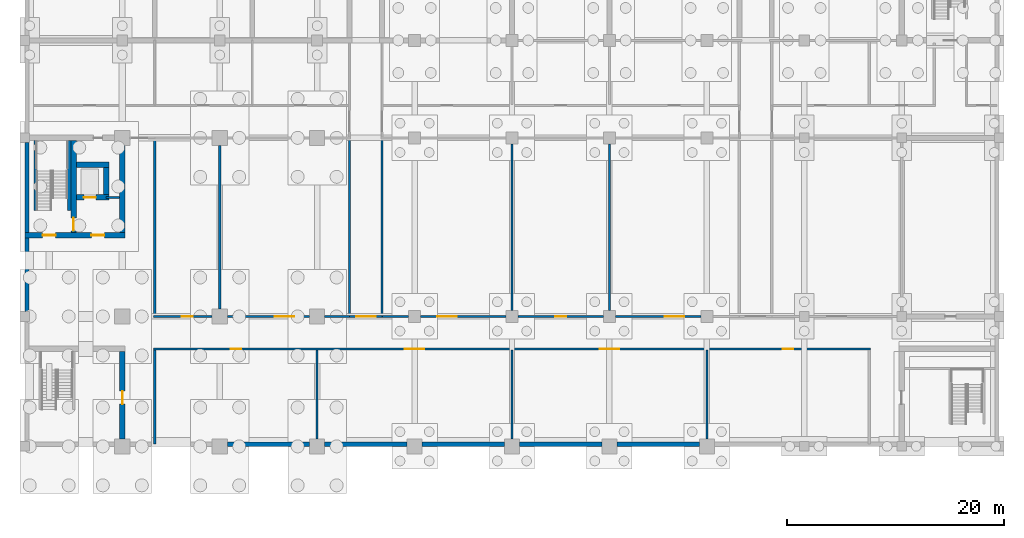
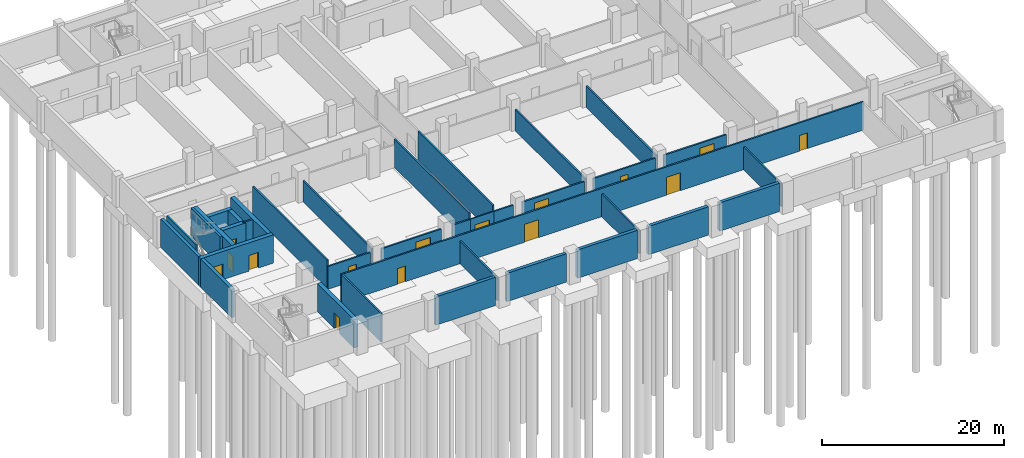
# One storey, part 5 of 15: 35 walls, 15 doors, 15 openings.
"""IFC4 building model written with IfcOpenShell, lengths in metres."""

import ifcopenshell
import ifcopenshell.guid

model = None  # the IFC model being written
_history = None  # IfcOwnerHistory: only IFC2X3 demands one
_inside = {}  # id of a spatial element -> (the spatial element, [elements in it])
_under = {}  # id of a project, library or spatial element -> (it, [spatial elements below it])
_declared = {}  # id of a project -> (the project, [libraries it declares])
_typed = {}  # id of a type object -> (the type object, [elements of that type])
_made_of = {}  # id of a material, layer set ... -> (it, [elements and type objects made of it])


def new_model(schema):
    """Start an empty IFC model of exactly this schema.

    Asked for "IFC4X3", IfcOpenShell would pick the latest addendum, in which some entities
    have other attributes; the version numbers below select the first issue.
    IFC2X3 requires an IfcOwnerHistory on every rooted entity: one is made here for all.
    """
    global model, _history
    if schema == "IFC4X3":
        model = ifcopenshell.file(schema_version=(4, 3, 0, 0))
    else:
        model = ifcopenshell.file(schema=schema)
    _inside.clear()
    _under.clear()
    _declared.clear()
    _typed.clear()
    _made_of.clear()
    _history = None
    if model.schema == "IFC2X3":
        org = make("IfcOrganization", Name="unknown")
        user = make(
            "IfcPersonAndOrganization",
            ThePerson=make("IfcPerson", FamilyName="unknown"),
            TheOrganization=org,
        )
        app = make(
            "IfcApplication",
            ApplicationDeveloper=org,
            Version="unknown",
            ApplicationFullName="unknown",
            ApplicationIdentifier="unknown",
        )
        _history = make(
            "IfcOwnerHistory",
            OwningUser=user,
            OwningApplication=app,
            ChangeAction="ADDED",
            CreationDate=0,
        )
    return model


def make(cls, **values):
    """One entity of the class cls with the attributes given. An attribute that is None is left unset."""
    return model.create_entity(
        cls, **{name: value for name, value in values.items() if value is not None}
    )


def rooted(cls, **values):
    """An entity with a GlobalId (a new one), such as an element, a storey or a relation."""
    return make(cls, GlobalId=ifcopenshell.guid.new(), OwnerHistory=_history, **values)


def si_unit(unit_type, name, prefix=None):
    """IfcSIUnit, for example si_unit("LENGTHUNIT", "METRE", prefix="MILLI")."""
    return make("IfcSIUnit", UnitType=unit_type, Prefix=prefix, Name=name)


def assignment(units):
    """IfcUnitAssignment: the units of a project."""
    return None if units is None else make("IfcUnitAssignment", Units=units)


def point(xyz):
    """IfcCartesianPoint."""
    return None if xyz is None else make("IfcCartesianPoint", Coordinates=xyz)


def direction(xyz):
    """IfcDirection."""
    return None if xyz is None else make("IfcDirection", DirectionRatios=xyz)


def frame(location, z_axis=None, x_axis=None):
    """IfcAxis2Placement3D, a coordinate frame: its origin and axes. An axis left out is left unset."""
    return make(
        "IfcAxis2Placement3D",
        Location=point(location),
        Axis=direction(z_axis),
        RefDirection=direction(x_axis),
    )


def frame_2d(location, x_axis=None):
    """IfcAxis2Placement2D, a coordinate frame in the plane: its origin and x axis."""
    return make(
        "IfcAxis2Placement2D", Location=point(location), RefDirection=direction(x_axis)
    )


def origin():
    """The frame at (0, 0, 0) with its axes left unset."""
    return frame((0.0, 0.0, 0.0))


def place(relative_to, where):
    """IfcLocalPlacement: puts the frame where relative to a parent placement (None: the world)."""
    return make(
        "IfcLocalPlacement", PlacementRelTo=relative_to, RelativePlacement=where
    )


def context(
    kind, dimensions, precision=None, world=None, true_north=None, identifier=None
):
    """IfcGeometricRepresentationContext, for example the 3D "Model" context."""
    return make(
        "IfcGeometricRepresentationContext",
        ContextIdentifier=identifier,
        ContextType=kind,
        CoordinateSpaceDimension=dimensions,
        Precision=precision,
        WorldCoordinateSystem=world,
        TrueNorth=true_north,
    )


def subcontext(parent, identifier, kind, view, scale=None):
    """IfcGeometricRepresentationSubContext, for example "Body" below "Model"."""
    return make(
        "IfcGeometricRepresentationSubContext",
        ContextIdentifier=identifier,
        ContextType=kind,
        ParentContext=parent,
        TargetScale=scale,
        TargetView=view,
    )


def project(units=None, contexts=None):
    """IfcProject with its units and contexts."""
    return rooted(
        "IfcProject",
        Name="project",
        RepresentationContexts=contexts,
        UnitsInContext=assignment(units),
    )


def spatial(cls, under=None, at=None, **own):
    """A site, building, storey or space (cls), placed at a placement, below another one or the project."""
    s = rooted(cls, ObjectPlacement=at, **own)
    if under is not None:
        _under.setdefault(under.id(), (under, []))[1].append(s)
    return s


def profile(cls, at=None, kind="AREA", **sizes):
    """A parametric profile (cls). Its sizes go by their IFC names, for example OverallWidth=200.0."""
    return make(cls, ProfileType=kind, Position=at, **sizes)


def rectangle(**sizes):
    """IfcRectangleProfileDef."""
    return profile("IfcRectangleProfileDef", **sizes)


def extrude(swept, where, along, depth):
    """IfcExtrudedAreaSolid: the profile swept, set in the frame where, extruded along a direction by depth."""
    return make(
        "IfcExtrudedAreaSolid",
        SweptArea=swept,
        Position=where,
        ExtrudedDirection=direction(along),
        Depth=depth,
    )


def shape(context_of_items, identifier, shape_type, items):
    """IfcShapeRepresentation: the items that make up one representation, for example the "Body"."""
    return make(
        "IfcShapeRepresentation",
        ContextOfItems=context_of_items,
        RepresentationIdentifier=identifier,
        RepresentationType=shape_type,
        Items=items,
    )


def material(Name=None, Category=None):
    """IfcMaterial."""
    return make("IfcMaterial", Name=Name, Category=Category)


def layer(
    of_material, thickness, ventilated=None, Name=None, Category=None, Priority=None
):
    """IfcMaterialLayer: one layer of a wall or slab, of a material (None: an air gap)."""
    return make(
        "IfcMaterialLayer",
        Material=of_material,
        LayerThickness=thickness,
        IsVentilated=ventilated,
        Name=Name,
        Category=Category,
        Priority=Priority,
    )


def layer_set(layers, Name=None):
    """IfcMaterialLayerSet."""
    return make("IfcMaterialLayerSet", MaterialLayers=layers, LayerSetName=Name)


def made_of(thing, what):
    """Note that an element or type object is made of a material, layer set ...; save() writes the relation."""
    if what is not None:
        _made_of.setdefault(what.id(), (what, []))[1].append(thing)
    return thing


def type_object(cls, material=None, **own):
    """A type object (cls), such as IfcWallType, which elements share."""
    return made_of(rooted(cls, **own), material)


def element(
    cls,
    number,
    at=None,
    inside=None,
    cuts=None,
    type_object=None,
    material=None,
    context=None,
    identifier="Body",
    shape_type=None,
    held_by="IfcProductDefinitionShape",
    body=None,
    shapes=None,
    **own,
):
    """One element of the class cls, such as IfcWall. Its Tag is "e" and its number.

    at: its placement. inside: the storey or other place that contains it. cuts: it is an
    opening in that element (IfcRelVoidsElement). A single representation is given by context,
    identifier, shape_type and body (its items); several are given by shapes. held_by: the class
    of the entity that holds the representations. save() writes the other relations.
    """
    e = rooted(cls, Tag="e%d" % number, ObjectPlacement=at, **own)
    if body is not None:
        shapes = [shape(context, identifier, shape_type, body)]
    if shapes is not None:
        e.Representation = make(held_by, Representations=shapes)
    if inside is not None:
        _inside.setdefault(inside.id(), (inside, []))[1].append(e)
    if cuts is not None:
        rooted(
            "IfcRelVoidsElement", RelatingBuildingElement=cuts, RelatedOpeningElement=e
        )
    if type_object is not None:
        _typed.setdefault(type_object.id(), (type_object, []))[1].append(e)
    return made_of(e, material)


def fill(opening, filler):
    """IfcRelFillsElement: the door or window that sits in an opening."""
    return rooted(
        "IfcRelFillsElement",
        RelatingOpeningElement=opening,
        RelatedBuildingElement=filler,
    )


def aggregate(whole, parts):
    """IfcRelAggregates: a whole, such as a stair, and the parts it consists of."""
    return rooted("IfcRelAggregates", RelatingObject=whole, RelatedObjects=parts)


def save(model, path):
    """Write the relations noted so far, then the file.

    IfcRelAggregates (storeys below a building ...), IfcRelContainedInSpatialStructure (elements
    in a storey), IfcRelDefinesByType, IfcRelAssociatesMaterial and IfcRelDeclares: one each for
    every whole, place, type object, material and project.
    """
    for whole, parts in _under.values():
        aggregate(whole, parts)
    for where, things in _inside.values():
        rooted(
            "IfcRelContainedInSpatialStructure",
            RelatedElements=things,
            RelatingStructure=where,
        )
    for kind, things in _typed.values():
        rooted("IfcRelDefinesByType", RelatedObjects=things, RelatingType=kind)
    for what, things in _made_of.values():
        rooted("IfcRelAssociatesMaterial", RelatedObjects=things, RelatingMaterial=what)
    for by, libraries in _declared.values():
        rooted("IfcRelDeclares", RelatingContext=by, RelatedDefinitions=libraries)
    model.write(path)


model = new_model("IFC4")

# Units and contexts
model_context = context("Model", 3, precision=1e-05, world=origin(), true_north=direction((0.0, 1.0)))
body_context = subcontext(model_context, "Body", "Model", "MODEL_VIEW")
ifc_project = project(units=[si_unit("LENGTHUNIT", "METRE"), si_unit("AREAUNIT", "SQUARE_METRE"), si_unit("VOLUMEUNIT", "CUBIC_METRE"), si_unit("PLANEANGLEUNIT", "RADIAN"), si_unit("MASSUNIT", "GRAM", prefix="KILO")], contexts=[model_context])

# Site, building, storey
site_placement = place(None, origin())
site = spatial("IfcSite", under=ifc_project, at=site_placement, CompositionType="ELEMENT")
building_placement = place(site_placement, origin())
building = spatial("IfcBuilding", under=site, at=building_placement, Name="Aurelan Courthouse", CompositionType="ELEMENT")
storey_placement = place(building_placement, frame((0.0, 0.0, -8.39990234375)))
storey = spatial("IfcBuildingStorey", under=building, at=storey_placement, Name="B2", CompositionType="ELEMENT", Elevation=-8.39990234375)

# Wall, opening, door
ifc_material_1 = material(Name="Gypsum board on metal studs")
ifc_layer_1 = layer(ifc_material_1, 0.14990234375)
ifc_layer_set_1 = layer_set([ifc_layer_1], Name="Gypsum board on metal studs")
wall_type_1 = type_object("IfcWallType", Name="Corridor partition 150 EI 60", PredefinedType="PARTITIONING", material=ifc_layer_set_1)
wall_1_placement = place(storey_placement, frame((30.0, 12.0, 0.0), z_axis=(0.0, 0.0, 1.0), x_axis=(1.0, 0.0, 0.0)))
wall_1 = element("IfcWall", 1, at=wall_1_placement, inside=storey, type_object=wall_type_1, Name="Corridor partition B2-005", PredefinedType="PARTITIONING", context=body_context, shape_type="SweptSolid", body=[
    extrude(rectangle(XDim=3.0, YDim=0.14990234375, at=frame_2d((1.5, 0.0))), origin(), (0.0, 0.0, 1.0), 3.0498046875),
])
opening_1_placement = place(wall_1_placement, frame((0.60009765625, 0.0, 0.0)))
opening_1 = element("IfcOpeningElement", 2, at=opening_1_placement, cuts=wall_1, Name="Opening D-B2-002", PredefinedType="OPENING", context=body_context, shape_type="SweptSolid", body=[
    extrude(rectangle(XDim=1.800048828125, YDim=2.10009765625, at=frame_2d((0.89990234375, 1.050048828125))), frame((0.0, 0.0849609375, 0.0), z_axis=(0.0, -1.0, 0.0), x_axis=(1.0, 0.0, 0.0)), (0.0, 0.0, 1.0), 0.169921875),
])
ifc_material_2 = material(Name="Steel", Category="steel")
door_type_1 = type_object("IfcDoorType", Name="Double door 1800 x 2100 FD60", OperationType="DOUBLE_DOOR_SINGLE_SWING", PredefinedType="DOOR", material=ifc_material_2)
door_1_placement = place(opening_1_placement, origin())
door_1 = element("IfcDoor", 3, at=door_1_placement, inside=storey, type_object=door_type_1, Name="Double door D-B2-002", OperationType="DOUBLE_DOOR_SINGLE_SWING", OverallHeight=2.10009765625, OverallWidth=1.800048828125, PredefinedType="DOOR", context=body_context, shape_type="SweptSolid", body=[
    extrude(rectangle(XDim=1.800048828125, YDim=2.10009765625, at=frame_2d((0.89990234375, 1.050048828125))), frame((0.0, 0.02490234375, 0.0), z_axis=(0.0, -1.0, 0.0), x_axis=(1.0, 0.0, 0.0)), (0.0, 0.0, 1.0), 0.050048828125),
])
fill(opening_1, door_1)

# Wall, openings, doors
ifc_material_3 = material(Name="Masonry block", Category="masonry")
ifc_layer_2 = layer(ifc_material_3, 0.199951171875)
ifc_layer_set_2 = layer_set([ifc_layer_2], Name="Masonry block")
wall_type_2 = type_object("IfcWallType", Name="Plant room wall 200 EI 120", PredefinedType="PARTITIONING", material=ifc_layer_set_2)
wall_2_placement = place(storey_placement, frame((11.89990234375, 9.0, 0.0), z_axis=(0.0, 0.0, 1.0), x_axis=(1.0, 0.0, 0.0)))
wall_2 = element("IfcWall", 4, at=wall_2_placement, inside=storey, type_object=wall_type_2, Name="Plant room wall B2-001", PredefinedType="PARTITIONING", context=body_context, shape_type="SweptSolid", body=[
    extrude(rectangle(XDim=66.2001953125, YDim=0.199951171875, at=frame_2d((33.10009765625, 0.0))), origin(), (0.0, 0.0, 1.0), 3.7998046875),
])
opening_2_placement = place(wall_2_placement, frame((8.10009765625, 0.0, 0.0), z_axis=(0.0, 0.0, 1.0), x_axis=(-1.0, 0.0, 0.0)))
opening_2 = element("IfcOpeningElement", 5, at=opening_2_placement, cuts=wall_2, Name="Opening D-B2-037", PredefinedType="OPENING", context=body_context, shape_type="SweptSolid", body=[
    extrude(rectangle(XDim=1.0, YDim=2.10009765625, at=frame_2d((0.5, 1.050048828125))), frame((0.0, 0.10986328125, 0.0), z_axis=(0.0, -1.0, 0.0), x_axis=(1.0, 0.0, 0.0)), (0.0, 0.0, 1.0), 0.219970703125),
])
opening_3_placement = place(wall_2_placement, frame((25.0, 0.0, 0.0), z_axis=(0.0, 0.0, 1.0), x_axis=(-1.0, 0.0, 0.0)))
opening_3 = element("IfcOpeningElement", 6, at=opening_3_placement, cuts=wall_2, Name="Opening D-B2-038", PredefinedType="OPENING", context=body_context, shape_type="SweptSolid", body=[
    extrude(rectangle(XDim=1.800048828125, YDim=2.39990234375, at=frame_2d((0.89990234375, 1.199951171875))), frame((0.0, 0.10986328125, 0.0), z_axis=(0.0, -1.0, 0.0), x_axis=(1.0, 0.0, 0.0)), (0.0, 0.0, 1.0), 0.219970703125),
])
opening_4_placement = place(wall_2_placement, frame((43.0, 0.0, 0.0), z_axis=(0.0, 0.0, 1.0), x_axis=(-1.0, 0.0, 0.0)))
opening_4 = element("IfcOpeningElement", 7, at=opening_4_placement, cuts=wall_2, Name="Opening D-B2-039", PredefinedType="OPENING", context=body_context, shape_type="SweptSolid", body=[
    extrude(rectangle(XDim=1.800048828125, YDim=2.39990234375, at=frame_2d((0.89990234375, 1.199951171875))), frame((0.0, 0.10986328125, 0.0), z_axis=(0.0, -1.0, 0.0), x_axis=(1.0, 0.0, 0.0)), (0.0, 0.0, 1.0), 0.219970703125),
])
opening_5_placement = place(wall_2_placement, frame((59.10009765625, 0.0, 0.0), z_axis=(0.0, 0.0, 1.0), x_axis=(-1.0, 0.0, 0.0)))
opening_5 = element("IfcOpeningElement", 8, at=opening_5_placement, cuts=wall_2, Name="Opening D-B2-040", PredefinedType="OPENING", context=body_context, shape_type="SweptSolid", body=[
    extrude(rectangle(XDim=1.0, YDim=2.10009765625, at=frame_2d((0.5, 1.050048828125))), frame((0.0, 0.10986328125, 0.0), z_axis=(0.0, -1.0, 0.0), x_axis=(1.0, 0.0, 0.0)), (0.0, 0.0, 1.0), 0.219970703125),
])
door_type_2 = type_object("IfcDoorType", Name="Double door 1800 x 2400 FD90", OperationType="DOUBLE_DOOR_SINGLE_SWING", PredefinedType="DOOR", material=ifc_material_2)
door_2_placement = place(opening_3_placement, origin())
door_2 = element("IfcDoor", 9, at=door_2_placement, inside=storey, type_object=door_type_2, Name="Double door D-B2-038", OperationType="DOUBLE_DOOR_SINGLE_SWING", OverallHeight=2.39990234375, OverallWidth=1.800048828125, PredefinedType="DOOR", context=body_context, shape_type="SweptSolid", body=[
    extrude(rectangle(XDim=1.800048828125, YDim=2.39990234375, at=frame_2d((0.89990234375, 1.199951171875))), frame((0.0, 0.02490234375, 0.0), z_axis=(0.0, -1.0, 0.0), x_axis=(1.0, 0.0, 0.0)), (0.0, 0.0, 1.0), 0.050048828125),
])
fill(opening_3, door_2)
door_3_placement = place(opening_4_placement, origin())
door_3 = element("IfcDoor", 10, at=door_3_placement, inside=storey, type_object=door_type_2, Name="Double door D-B2-039", OperationType="DOUBLE_DOOR_SINGLE_SWING", OverallHeight=2.39990234375, OverallWidth=1.800048828125, PredefinedType="DOOR", context=body_context, shape_type="SweptSolid", body=[
    extrude(rectangle(XDim=1.800048828125, YDim=2.39990234375, at=frame_2d((0.89990234375, 1.199951171875))), frame((0.0, 0.02490234375, 0.0), z_axis=(0.0, -1.0, 0.0), x_axis=(1.0, 0.0, 0.0)), (0.0, 0.0, 1.0), 0.050048828125),
])
fill(opening_4, door_3)
door_type_3 = type_object("IfcDoorType", Name="Single door 1000 x 2100 FD90", OperationType="SINGLE_SWING_LEFT", PredefinedType="DOOR", material=ifc_material_2)
door_4_placement = place(opening_2_placement, origin())
door_4 = element("IfcDoor", 11, at=door_4_placement, inside=storey, type_object=door_type_3, Name="Single door D-B2-037", OperationType="SINGLE_SWING_LEFT", OverallHeight=2.10009765625, OverallWidth=1.0, PredefinedType="DOOR", context=body_context, shape_type="SweptSolid", body=[
    extrude(rectangle(XDim=1.0, YDim=2.10009765625, at=frame_2d((0.5, 1.050048828125))), frame((0.0, 0.02490234375, 0.0), z_axis=(0.0, -1.0, 0.0), x_axis=(1.0, 0.0, 0.0)), (0.0, 0.0, 1.0), 0.050048828125),
])
fill(opening_2, door_4)
door_5_placement = place(opening_5_placement, origin())
door_5 = element("IfcDoor", 12, at=door_5_placement, inside=storey, type_object=door_type_3, Name="Single door D-B2-040", OperationType="SINGLE_SWING_RIGHT", OverallHeight=2.10009765625, OverallWidth=1.0, PredefinedType="DOOR", context=body_context, shape_type="SweptSolid", body=[
    extrude(rectangle(XDim=1.0, YDim=2.10009765625, at=frame_2d((0.5, 1.050048828125))), frame((0.0, 0.02490234375, 0.0), z_axis=(0.0, -1.0, 0.0), x_axis=(1.0, 0.0, 0.0)), (0.0, 0.0, 1.0), 0.050048828125),
])
fill(opening_5, door_5)

# Wall, opening, door
wall_3_placement = place(storey_placement, frame((11.89990234375, 12.0, 0.0), z_axis=(0.0, 0.0, 1.0), x_axis=(1.0, 0.0, 0.0)))
wall_3 = element("IfcWall", 13, at=wall_3_placement, inside=storey, type_object=wall_type_2, Name="Plant room wall B2-002", PredefinedType="PARTITIONING", context=body_context, shape_type="SweptSolid", body=[
    extrude(rectangle(XDim=5.400146484375, YDim=0.199951171875, at=frame_2d((2.7001953125, 0.0))), origin(), (0.0, 0.0, 1.0), 3.0498046875),
])
opening_6_placement = place(wall_3_placement, frame((2.60009765625, 0.0, 0.0)))
opening_6 = element("IfcOpeningElement", 14, at=opening_6_placement, cuts=wall_3, Name="Opening D-B2-041", PredefinedType="OPENING", context=body_context, shape_type="SweptSolid", body=[
    extrude(rectangle(XDim=1.0, YDim=2.10009765625, at=frame_2d((0.5, 1.050048828125))), frame((0.0, 0.10986328125, 0.0), z_axis=(0.0, -1.0, 0.0), x_axis=(1.0, 0.0, 0.0)), (0.0, 0.0, 1.0), 0.219970703125),
])
door_6_placement = place(opening_6_placement, origin())
door_6 = element("IfcDoor", 15, at=door_6_placement, inside=storey, type_object=door_type_3, Name="Single door D-B2-041", OperationType="SINGLE_SWING_RIGHT", OverallHeight=2.10009765625, OverallWidth=1.0, PredefinedType="DOOR", context=body_context, shape_type="SweptSolid", body=[
    extrude(rectangle(XDim=1.0, YDim=2.10009765625, at=frame_2d((0.5, 1.050048828125))), frame((0.0, 0.02490234375, 0.0), z_axis=(0.0, -1.0, 0.0), x_axis=(1.0, 0.0, 0.0)), (0.0, 0.0, 1.0), 0.050048828125),
])
fill(opening_6, door_6)

wall_4_placement = place(storey_placement, frame((18.699951171875, 12.0, 0.0), z_axis=(0.0, 0.0, 1.0), x_axis=(1.0, 0.0, 0.0)))
wall_4 = element("IfcWall", 16, at=wall_4_placement, inside=storey, type_object=wall_type_2, Name="Plant room wall B2-003", PredefinedType="PARTITIONING", context=body_context, shape_type="SweptSolid", body=[
    extrude(rectangle(XDim=7.60009765625, YDim=0.199951171875, at=frame_2d((3.800048828125, 0.0))), origin(), (0.0, 0.0, 1.0), 3.0498046875),
])
opening_7_placement = place(wall_4_placement, frame((4.39990234375, 0.0, 0.0)))
opening_7 = element("IfcOpeningElement", 17, at=opening_7_placement, cuts=wall_4, Name="Opening D-B2-042", PredefinedType="OPENING", context=body_context, shape_type="SweptSolid", body=[
    extrude(rectangle(XDim=1.800048828125, YDim=2.39990234375, at=frame_2d((0.89990234375, 1.199951171875))), frame((0.0, 0.10986328125, 0.0), z_axis=(0.0, -1.0, 0.0), x_axis=(1.0, 0.0, 0.0)), (0.0, 0.0, 1.0), 0.219970703125),
])
door_7_placement = place(opening_7_placement, origin())
door_7 = element("IfcDoor", 18, at=door_7_placement, inside=storey, type_object=door_type_2, Name="Double door D-B2-042", OperationType="DOUBLE_DOOR_SINGLE_SWING", OverallHeight=2.39990234375, OverallWidth=1.800048828125, PredefinedType="DOOR", context=body_context, shape_type="SweptSolid", body=[
    extrude(rectangle(XDim=1.800048828125, YDim=2.39990234375, at=frame_2d((0.89990234375, 1.199951171875))), frame((0.0, 0.02490234375, 0.0), z_axis=(0.0, -1.0, 0.0), x_axis=(1.0, 0.0, 0.0)), (0.0, 0.0, 1.0), 0.050048828125),
])
fill(opening_7, door_7)

# Walls
wall_5_placement = place(storey_placement, frame((27.699951171875, 12.0, 0.0), z_axis=(0.0, 0.0, 1.0), x_axis=(1.0, 0.0, 0.0)))
element("IfcWall", 19, at=wall_5_placement, inside=storey, type_object=wall_type_2, Name="Plant room wall B2-004", PredefinedType="PARTITIONING", context=body_context, shape_type="SweptSolid", body=[
    extrude(rectangle(XDim=2.300048828125, YDim=0.199951171875, at=frame_2d((1.14990234375, 0.0))), origin(), (0.0, 0.0, 1.0), 3.0498046875),
])
wall_6_placement = place(storey_placement, frame((33.0, 12.0, 0.0), z_axis=(0.0, 0.0, 1.0), x_axis=(1.0, 0.0, 0.0)))
element("IfcWall", 20, at=wall_6_placement, inside=storey, type_object=wall_type_2, Name="Plant room wall B2-006", PredefinedType="PARTITIONING", context=body_context, shape_type="SweptSolid", body=[
    extrude(rectangle(XDim=2.449951171875, YDim=0.199951171875, at=frame_2d((1.22509765625, 0.0))), origin(), (0.0, 0.0, 1.0), 3.0498046875),
])

# Wall, opening, door
wall_7_placement = place(storey_placement, frame((36.550048828125, 12.0, 0.0), z_axis=(0.0, 0.0, 1.0), x_axis=(1.0, 0.0, 0.0)))
wall_7 = element("IfcWall", 21, at=wall_7_placement, inside=storey, type_object=wall_type_2, Name="Plant room wall B2-007", PredefinedType="PARTITIONING", context=body_context, shape_type="SweptSolid", body=[
    extrude(rectangle(XDim=7.89990234375, YDim=0.199951171875, at=frame_2d((3.949951171875, 0.0))), origin(), (0.0, 0.0, 1.0), 3.0498046875),
])
opening_8_placement = place(wall_7_placement, frame((1.550048828125, 0.0, 0.0)))
opening_8 = element("IfcOpeningElement", 22, at=opening_8_placement, cuts=wall_7, Name="Opening D-B2-012", PredefinedType="OPENING", context=body_context, shape_type="SweptSolid", body=[
    extrude(rectangle(XDim=1.800048828125, YDim=2.39990234375, at=frame_2d((0.89990234375, 1.199951171875))), frame((0.0, 0.10986328125, 0.0), z_axis=(0.0, -1.0, 0.0), x_axis=(1.0, 0.0, 0.0)), (0.0, 0.0, 1.0), 0.219970703125),
])
door_8_placement = place(opening_8_placement, origin())
door_8 = element("IfcDoor", 23, at=door_8_placement, inside=storey, type_object=door_type_2, Name="Double door D-B2-012", OperationType="DOUBLE_DOOR_SINGLE_SWING", OverallHeight=2.39990234375, OverallWidth=1.800048828125, PredefinedType="DOOR", context=body_context, shape_type="SweptSolid", body=[
    extrude(rectangle(XDim=1.800048828125, YDim=2.39990234375, at=frame_2d((0.89990234375, 1.199951171875))), frame((0.0, 0.02490234375, 0.0), z_axis=(0.0, -1.0, 0.0), x_axis=(1.0, 0.0, 0.0)), (0.0, 0.0, 1.0), 0.050048828125),
])
fill(opening_8, door_8)

wall_8_placement = place(storey_placement, frame((45.550048828125, 12.0, 0.0), z_axis=(0.0, 0.0, 1.0), x_axis=(1.0, 0.0, 0.0)))
wall_8 = element("IfcWall", 24, at=wall_8_placement, inside=storey, type_object=wall_type_2, Name="Plant room wall B2-008", PredefinedType="PARTITIONING", context=body_context, shape_type="SweptSolid", body=[
    extrude(rectangle(XDim=7.89990234375, YDim=0.199951171875, at=frame_2d((3.949951171875, 0.0))), origin(), (0.0, 0.0, 1.0), 3.0498046875),
])
opening_9_placement = place(wall_8_placement, frame((3.449951171875, 0.0, 0.0)))
opening_9 = element("IfcOpeningElement", 25, at=opening_9_placement, cuts=wall_8, Name="Opening D-B2-013", PredefinedType="OPENING", context=body_context, shape_type="SweptSolid", body=[
    extrude(rectangle(XDim=1.0, YDim=2.10009765625, at=frame_2d((0.5, 1.050048828125))), frame((0.0, 0.10986328125, 0.0), z_axis=(0.0, -1.0, 0.0), x_axis=(1.0, 0.0, 0.0)), (0.0, 0.0, 1.0), 0.219970703125),
])
door_9_placement = place(opening_9_placement, origin())
door_9 = element("IfcDoor", 26, at=door_9_placement, inside=storey, type_object=door_type_3, Name="Single door D-B2-013", OperationType="SINGLE_SWING_RIGHT", OverallHeight=2.10009765625, OverallWidth=1.0, PredefinedType="DOOR", context=body_context, shape_type="SweptSolid", body=[
    extrude(rectangle(XDim=1.0, YDim=2.10009765625, at=frame_2d((0.5, 1.050048828125))), frame((0.0, 0.02490234375, 0.0), z_axis=(0.0, -1.0, 0.0), x_axis=(1.0, 0.0, 0.0)), (0.0, 0.0, 1.0), 0.050048828125),
])
fill(opening_9, door_9)

wall_9_placement = place(storey_placement, frame((54.550048828125, 12.0, 0.0), z_axis=(0.0, 0.0, 1.0), x_axis=(1.0, 0.0, 0.0)))
wall_9 = element("IfcWall", 27, at=wall_9_placement, inside=storey, type_object=wall_type_2, Name="Plant room wall B2-009", PredefinedType="PARTITIONING", context=body_context, shape_type="SweptSolid", body=[
    extrude(rectangle(XDim=7.89990234375, YDim=0.199951171875, at=frame_2d((3.949951171875, 0.0))), origin(), (0.0, 0.0, 1.0), 3.0498046875),
])
opening_10_placement = place(wall_9_placement, frame((4.550048828125, 0.0, 0.0)))
opening_10 = element("IfcOpeningElement", 28, at=opening_10_placement, cuts=wall_9, Name="Opening D-B2-014", PredefinedType="OPENING", context=body_context, shape_type="SweptSolid", body=[
    extrude(rectangle(XDim=1.800048828125, YDim=2.39990234375, at=frame_2d((0.89990234375, 1.199951171875))), frame((0.0, 0.10986328125, 0.0), z_axis=(0.0, -1.0, 0.0), x_axis=(1.0, 0.0, 0.0)), (0.0, 0.0, 1.0), 0.219970703125),
])
door_10_placement = place(opening_10_placement, origin())
door_10 = element("IfcDoor", 29, at=door_10_placement, inside=storey, type_object=door_type_2, Name="Double door D-B2-014", OperationType="DOUBLE_DOOR_SINGLE_SWING", OverallHeight=2.39990234375, OverallWidth=1.800048828125, PredefinedType="DOOR", context=body_context, shape_type="SweptSolid", body=[
    extrude(rectangle(XDim=1.800048828125, YDim=2.39990234375, at=frame_2d((0.89990234375, 1.199951171875))), frame((0.0, 0.02490234375, 0.0), z_axis=(0.0, -1.0, 0.0), x_axis=(1.0, 0.0, 0.0)), (0.0, 0.0, 1.0), 0.050048828125),
])
fill(opening_10, door_10)

# Walls
wall_10_placement = place(storey_placement, frame((12.0, 0.199951171875, 0.0), z_axis=(0.0, 0.0, 1.0), x_axis=(0.0, 1.0, 0.0)))
element("IfcWall", 30, at=wall_10_placement, inside=storey, type_object=wall_type_2, Name="Plant room wall B2-071", PredefinedType="PARTITIONING", context=body_context, shape_type="SweptSolid", body=[
    extrude(rectangle(XDim=8.699951171875, YDim=0.199951171875, at=frame_2d((4.35009765625, 0.0))), origin(), (0.0, 0.0, 1.0), 3.7998046875),
])
wall_11_placement = place(storey_placement, frame((12.0, 12.10009765625, 0.0), z_axis=(0.0, 0.0, 1.0), x_axis=(0.0, 1.0, 0.0)))
element("IfcWall", 31, at=wall_11_placement, inside=storey, type_object=wall_type_2, Name="Plant room wall B2-072", PredefinedType="PARTITIONING", context=body_context, shape_type="SweptSolid", body=[
    extrude(rectangle(XDim=16.324951171875, YDim=0.199951171875, at=frame_2d((8.16259765625, 0.0))), origin(), (0.0, 0.0, 1.0), 3.7998046875),
])
wall_12_placement = place(storey_placement, frame((18.0, 12.699951171875, 0.0), z_axis=(0.0, 0.0, 1.0), x_axis=(0.0, 1.0, 0.0)))
element("IfcWall", 32, at=wall_12_placement, inside=storey, type_object=wall_type_2, Name="Plant room wall B2-075", PredefinedType="PARTITIONING", context=body_context, shape_type="SweptSolid", body=[
    extrude(rectangle(XDim=15.10009765625, YDim=0.199951171875, at=frame_2d((7.550048828125, 0.0))), origin(), (0.0, 0.0, 1.0), 2.849853515625),
])
wall_13_placement = place(storey_placement, frame((27.0, 0.699951171875, 0.0), z_axis=(0.0, 0.0, 1.0), x_axis=(0.0, 1.0, 0.0)))
element("IfcWall", 33, at=wall_13_placement, inside=storey, type_object=wall_type_2, Name="Plant room wall B2-079", PredefinedType="PARTITIONING", context=body_context, shape_type="SweptSolid", body=[
    extrude(rectangle(XDim=8.199951171875, YDim=0.199951171875, at=frame_2d((4.10009765625, 0.0))), origin(), (0.0, 0.0, 1.0), 3.0498046875),
])
for number, where, z_axis, x_axis, name in (
    (34, (30.0, 12.074951171875, 0.0), (0.0, 0.0, 1.0), (0.0, 1.0, 0.0), "Plant room wall B2-080"),
    (35, (33.0, 12.074951171875, 0.0), (0.0, 0.0, 1.0), (0.0, 1.0, 0.0), "Plant room wall B2-083"),
):
    element("IfcWall", number, at=place(storey_placement, frame(where, z_axis=z_axis, x_axis=x_axis)), inside=storey, type_object=wall_type_2, Name=name, PredefinedType="PARTITIONING", context=body_context, shape_type="SweptSolid", body=[
        extrude(rectangle(XDim=16.425048828125, YDim=0.199951171875, at=frame_2d((8.21240234375, 0.0))), origin(), (0.0, 0.0, 1.0), 3.7998046875),
    ])
wall_14_placement = place(storey_placement, frame((45.0, 0.699951171875, 0.0), z_axis=(0.0, 0.0, 1.0), x_axis=(0.0, 1.0, 0.0)))
element("IfcWall", 36, at=wall_14_placement, inside=storey, type_object=wall_type_2, Name="Plant room wall B2-089", PredefinedType="PARTITIONING", context=body_context, shape_type="SweptSolid", body=[
    extrude(rectangle(XDim=8.199951171875, YDim=0.199951171875, at=frame_2d((4.10009765625, 0.0))), origin(), (0.0, 0.0, 1.0), 3.0498046875),
])
for number, where, z_axis, x_axis, name in (
    (37, (45.0, 12.550048828125, 0.0), (0.0, 0.0, 1.0), (0.0, 1.0, 0.0), "Plant room wall B2-090"),
    (38, (54.0, 12.550048828125, 0.0), (0.0, 0.0, 1.0), (0.0, 1.0, 0.0), "Plant room wall B2-094"),
):
    element("IfcWall", number, at=place(storey_placement, frame(where, z_axis=z_axis, x_axis=x_axis)), inside=storey, type_object=wall_type_2, Name=name, PredefinedType="PARTITIONING", context=body_context, shape_type="SweptSolid", body=[
        extrude(rectangle(XDim=15.39990234375, YDim=0.199951171875, at=frame_2d((7.699951171875, 0.0))), origin(), (0.0, 0.0, 1.0), 2.849853515625),
    ])
wall_15_placement = place(storey_placement, frame((63.0, 0.699951171875, 0.0), z_axis=(0.0, 0.0, 1.0), x_axis=(0.0, 1.0, 0.0)))
element("IfcWall", 39, at=wall_15_placement, inside=storey, type_object=wall_type_2, Name="Plant room wall B2-101", PredefinedType="PARTITIONING", context=body_context, shape_type="SweptSolid", body=[
    extrude(rectangle(XDim=8.199951171875, YDim=0.199951171875, at=frame_2d((4.10009765625, 0.0))), origin(), (0.0, 0.0, 1.0), 3.0498046875),
])
ifc_material_4 = material(Name="Concrete C50", Category="concrete")
ifc_layer_3 = layer(ifc_material_4, 0.39990234375)
ifc_layer_set_3 = layer_set([ifc_layer_3], Name="Concrete C50")
wall_type_3 = type_object("IfcWallType", Name="RC retaining wall 400", PredefinedType="SOLIDWALL", material=ifc_layer_set_3)
for number, where, z_axis, x_axis, name in (
    (40, (18.699951171875, 0.199951171875, 0.0), (0.0, 0.0, 1.0), (1.0, 0.0, 0.0), "Retaining wall SW-B2-003"),
    (41, (27.699951171875, 0.199951171875, 0.0), (0.0, 0.0, 1.0), (1.0, 0.0, 0.0), "Retaining wall SW-B2-004"),
    (42, (36.699951171875, 0.199951171875, 0.0), (0.0, 0.0, 1.0), (1.0, 0.0, 0.0), "Retaining wall SW-B2-005"),
    (43, (45.699951171875, 0.199951171875, 0.0), (0.0, 0.0, 1.0), (1.0, 0.0, 0.0), "Retaining wall SW-B2-006"),
    (44, (54.699951171875, 0.199951171875, 0.0), (0.0, 0.0, 1.0), (1.0, 0.0, 0.0), "Retaining wall SW-B2-007"),
):
    element("IfcWall", number, at=place(storey_placement, frame(where, z_axis=z_axis, x_axis=x_axis)), inside=storey, type_object=wall_type_3, Name=name, PredefinedType="SOLIDWALL", context=body_context, shape_type="SweptSolid", body=[
        extrude(rectangle(XDim=7.60009765625, YDim=0.39990234375, at=frame_2d((3.800048828125, 0.0))), origin(), (0.0, 0.0, 1.0), 3.7998046875),
    ])
wall_16_placement = place(storey_placement, frame((0.199951171875, 12.449951171875, 0.0), z_axis=(0.0, 0.0, 1.0), x_axis=(0.0, 1.0, 0.0)))
element("IfcWall", 45, at=wall_16_placement, inside=storey, type_object=wall_type_3, Name="Retaining wall SW-B2-017", PredefinedType="SOLIDWALL", context=body_context, shape_type="SweptSolid", body=[
    extrude(rectangle(XDim=15.60009765625, YDim=0.39990234375, at=frame_2d((7.800048828125, 0.0))), origin(), (0.0, 0.0, 1.0), 3.7998046875),
])

# Wall, opening, door
ifc_layer_4 = layer(ifc_material_4, 0.5)
ifc_layer_set_4 = layer_set([ifc_layer_4], Name="Concrete C50")
wall_type_4 = type_object("IfcWallType", Name="RC shear wall 500", PredefinedType="SHEAR", material=ifc_layer_set_4)
wall_17_placement = place(storey_placement, frame((9.0, 0.699951171875, 0.0), z_axis=(0.0, 0.0, 1.0), x_axis=(0.0, 1.0, 0.0)))
wall_17 = element("IfcWall", 46, at=wall_17_placement, inside=storey, type_object=wall_type_4, Name="Core wall SW-B2-014", PredefinedType="SHEAR", context=body_context, shape_type="SweptSolid", body=[
    extrude(rectangle(XDim=8.050048828125, YDim=0.5, at=frame_2d((4.02490234375, 0.0))), origin(), (0.0, 0.0, 1.0), 3.7998046875),
])
opening_11_placement = place(wall_17_placement, frame((3.199951171875, 0.0, 0.0)))
opening_11 = element("IfcOpeningElement", 47, at=opening_11_placement, cuts=wall_17, Name="Opening D-B2-043", PredefinedType="OPENING", context=body_context, shape_type="SweptSolid", body=[
    extrude(rectangle(XDim=1.199951171875, YDim=2.10009765625, at=frame_2d((0.60009765625, 1.050048828125))), frame((0.0, 0.260009765625, 0.0), z_axis=(0.0, -1.0, 0.0), x_axis=(1.0, 0.0, 0.0)), (0.0, 0.0, 1.0), 0.52001953125),
])
door_type_4 = type_object("IfcDoorType", Name="Single door 1200 x 2100 FD90", OperationType="SINGLE_SWING_LEFT", PredefinedType="DOOR", material=ifc_material_2)
door_11_placement = place(opening_11_placement, origin())
door_11 = element("IfcDoor", 48, at=door_11_placement, inside=storey, type_object=door_type_4, Name="Single door D-B2-043", OperationType="SINGLE_SWING_LEFT", OverallHeight=2.10009765625, OverallWidth=1.199951171875, PredefinedType="DOOR", context=body_context, shape_type="SweptSolid", body=[
    extrude(rectangle(XDim=1.199951171875, YDim=2.10009765625, at=frame_2d((0.60009765625, 1.050048828125))), frame((0.0, 0.02490234375, 0.0), z_axis=(0.0, -1.0, 0.0), x_axis=(1.0, 0.0, 0.0)), (0.0, 0.0, 1.0), 0.050048828125),
])
fill(opening_11, door_11)

# Wall, openings, doors
wall_18_placement = place(storey_placement, frame((0.0, 19.5, 0.0), z_axis=(0.0, 0.0, 1.0), x_axis=(1.0, 0.0, 0.0)))
wall_18 = element("IfcWall", 49, at=wall_18_placement, inside=storey, type_object=wall_type_4, Name="Core wall SW-B2-019", PredefinedType="SHEAR", context=body_context, shape_type="SweptSolid", body=[
    extrude(rectangle(XDim=9.25, YDim=0.5, at=frame_2d((4.625, 0.0))), origin(), (0.0, 0.0, 1.0), 3.7998046875),
])
opening_12_placement = place(wall_18_placement, frame((1.64990234375, 0.0, 0.0)))
opening_12 = element("IfcOpeningElement", 50, at=opening_12_placement, cuts=wall_18, Name="Opening D-B2-047", PredefinedType="OPENING", context=body_context, shape_type="SweptSolid", body=[
    extrude(rectangle(XDim=1.199951171875, YDim=2.10009765625, at=frame_2d((0.60009765625, 1.050048828125))), frame((0.0, 0.260009765625, 0.0), z_axis=(0.0, -1.0, 0.0), x_axis=(1.0, 0.0, 0.0)), (0.0, 0.0, 1.0), 0.52001953125),
])
opening_13_placement = place(wall_18_placement, frame((7.349853515625, 0.0, 0.0), z_axis=(0.0, 0.0, 1.0), x_axis=(-1.0, 0.0, 0.0)))
opening_13 = element("IfcOpeningElement", 51, at=opening_13_placement, cuts=wall_18, Name="Opening D-B2-052", PredefinedType="OPENING", context=body_context, shape_type="SweptSolid", body=[
    extrude(rectangle(XDim=1.199951171875, YDim=2.10009765625, at=frame_2d((0.60009765625, 1.050048828125))), frame((0.0, 0.260009765625, 0.0), z_axis=(0.0, -1.0, 0.0), x_axis=(1.0, 0.0, 0.0)), (0.0, 0.0, 1.0), 0.52001953125),
])
door_12_placement = place(opening_12_placement, origin())
door_12 = element("IfcDoor", 52, at=door_12_placement, inside=storey, type_object=door_type_4, Name="Single door D-B2-047", OperationType="SINGLE_SWING_LEFT", OverallHeight=2.10009765625, OverallWidth=1.199951171875, PredefinedType="DOOR", context=body_context, shape_type="SweptSolid", body=[
    extrude(rectangle(XDim=1.199951171875, YDim=2.10009765625, at=frame_2d((0.60009765625, 1.050048828125))), frame((0.0, 0.02490234375, 0.0), z_axis=(0.0, -1.0, 0.0), x_axis=(1.0, 0.0, 0.0)), (0.0, 0.0, 1.0), 0.050048828125),
])
fill(opening_12, door_12)
door_13_placement = place(opening_13_placement, origin())
door_13 = element("IfcDoor", 53, at=door_13_placement, inside=storey, type_object=door_type_4, Name="Single door D-B2-052", OperationType="SINGLE_SWING_LEFT", OverallHeight=2.10009765625, OverallWidth=1.199951171875, PredefinedType="DOOR", context=body_context, shape_type="SweptSolid", body=[
    extrude(rectangle(XDim=1.199951171875, YDim=2.10009765625, at=frame_2d((0.60009765625, 1.050048828125))), frame((0.0, 0.02490234375, 0.0), z_axis=(0.0, -1.0, 0.0), x_axis=(1.0, 0.0, 0.0)), (0.0, 0.0, 1.0), 0.050048828125),
])
fill(opening_13, door_13)

# Wall, opening, door
wall_19_placement = place(storey_placement, frame((4.5, 19.75, 0.0), z_axis=(0.0, 0.0, 1.0), x_axis=(0.0, 1.0, 0.0)))
wall_19 = element("IfcWall", 54, at=wall_19_placement, inside=storey, type_object=wall_type_4, Name="Core wall SW-B2-020", PredefinedType="SHEAR", context=body_context, shape_type="SweptSolid", body=[
    extrude(rectangle(XDim=8.5, YDim=0.5, at=frame_2d((4.25, 0.0))), origin(), (0.0, 0.0, 1.0), 3.7998046875),
])
opening_14_placement = place(wall_19_placement, frame((0.14990234375, 0.0, 0.0)))
opening_14 = element("IfcOpeningElement", 55, at=opening_14_placement, cuts=wall_19, Name="Opening D-B2-053", PredefinedType="OPENING", context=body_context, shape_type="SweptSolid", body=[
    extrude(rectangle(XDim=1.199951171875, YDim=2.10009765625, at=frame_2d((0.60009765625, 1.050048828125))), frame((0.0, 0.260009765625, 0.0), z_axis=(0.0, -1.0, 0.0), x_axis=(1.0, 0.0, 0.0)), (0.0, 0.0, 1.0), 0.52001953125),
])
door_14_placement = place(opening_14_placement, origin())
door_14 = element("IfcDoor", 56, at=door_14_placement, inside=storey, type_object=door_type_4, Name="Single door D-B2-053", OperationType="SINGLE_SWING_LEFT", OverallHeight=2.10009765625, OverallWidth=1.199951171875, PredefinedType="DOOR", context=body_context, shape_type="SweptSolid", body=[
    extrude(rectangle(XDim=1.199951171875, YDim=2.10009765625, at=frame_2d((0.60009765625, 1.050048828125))), frame((0.0, 0.02490234375, 0.0), z_axis=(0.0, -1.0, 0.0), x_axis=(1.0, 0.0, 0.0)), (0.0, 0.0, 1.0), 0.050048828125),
])
fill(opening_14, door_14)

# Wall
wall_20_placement = place(storey_placement, frame((9.0, 19.75, 0.0), z_axis=(0.0, 0.0, 1.0), x_axis=(0.0, 1.0, 0.0)))
element("IfcWall", 57, at=wall_20_placement, inside=storey, type_object=wall_type_4, Name="Core wall SW-B2-021", PredefinedType="SHEAR", context=body_context, shape_type="SweptSolid", body=[
    extrude(rectangle(XDim=8.050048828125, YDim=0.5, at=frame_2d((4.02490234375, 0.0))), origin(), (0.0, 0.0, 1.0), 3.7998046875),
])

# Wall, opening, door
wall_21_placement = place(storey_placement, frame((4.75, 23.0, 0.0), z_axis=(0.0, 0.0, 1.0), x_axis=(1.0, 0.0, 0.0)))
wall_21 = element("IfcWall", 58, at=wall_21_placement, inside=storey, type_object=wall_type_4, Name="Core wall SW-B2-022", PredefinedType="SHEAR", context=body_context, shape_type="SweptSolid", body=[
    extrude(rectangle(XDim=3.0, YDim=0.5, at=frame_2d((1.5, 0.0))), origin(), (0.0, 0.0, 1.0), 3.7998046875),
])
opening_15_placement = place(wall_21_placement, frame((0.699951171875, 0.0, 0.0)))
opening_15 = element("IfcOpeningElement", 59, at=opening_15_placement, cuts=wall_21, Name="Opening LD-V5-F1-B2", PredefinedType="OPENING", context=body_context, shape_type="SweptSolid", body=[
    extrude(rectangle(XDim=1.10009765625, YDim=2.10009765625, at=frame_2d((0.550048828125, 1.050048828125))), frame((0.0, 0.260009765625, 0.0), z_axis=(0.0, -1.0, 0.0), x_axis=(1.0, 0.0, 0.0)), (0.0, 0.0, 1.0), 0.52001953125),
])
door_type_5 = type_object("IfcDoorType", Name="Lift landing door 1100 x 2100 FD90", OperationType="SLIDING_TO_LEFT", PredefinedType="DOOR", material=ifc_material_2)
door_15_placement = place(opening_15_placement, origin())
door_15 = element("IfcDoor", 60, at=door_15_placement, inside=storey, type_object=door_type_5, Name="Lift landing door LD-V5-F1-B2", OperationType="SLIDING_TO_LEFT", OverallHeight=2.10009765625, OverallWidth=1.10009765625, PredefinedType="DOOR", context=body_context, shape_type="SweptSolid", body=[
    extrude(rectangle(XDim=1.10009765625, YDim=2.10009765625, at=frame_2d((0.550048828125, 1.050048828125))), frame((0.0, 0.02490234375, 0.0), z_axis=(0.0, -1.0, 0.0), x_axis=(1.0, 0.0, 0.0)), (0.0, 0.0, 1.0), 0.050048828125),
])
fill(opening_15, door_15)

# Walls
wall_22_placement = place(storey_placement, frame((7.5, 23.25, 0.0), z_axis=(0.0, 0.0, 1.0), x_axis=(0.0, 1.0, 0.0)))
element("IfcWall", 61, at=wall_22_placement, inside=storey, type_object=wall_type_4, Name="Core wall SW-B2-023", PredefinedType="SHEAR", context=body_context, shape_type="SweptSolid", body=[
    extrude(rectangle(XDim=2.5, YDim=0.5, at=frame_2d((1.25, 0.0))), origin(), (0.0, 0.0, 1.0), 3.7998046875),
])
wall_23_placement = place(storey_placement, frame((4.75, 26.0, 0.0), z_axis=(0.0, 0.0, 1.0), x_axis=(1.0, 0.0, 0.0)))
element("IfcWall", 62, at=wall_23_placement, inside=storey, type_object=wall_type_4, Name="Core wall SW-B2-024", PredefinedType="SHEAR", context=body_context, shape_type="SweptSolid", body=[
    extrude(rectangle(XDim=3.0, YDim=0.5, at=frame_2d((1.5, 0.0))), origin(), (0.0, 0.0, 1.0), 3.7998046875),
])
ifc_material_5 = material(Name="Concrete C30", Category="concrete")
ifc_layer_5 = layer(ifc_material_5, 0.199951171875)
ifc_layer_set_5 = layer_set([ifc_layer_5], Name="Concrete C30")
wall_type_5 = type_object("IfcWallType", Name="Shaft wall 200 EI 120 load-bearing", PredefinedType="SHEAR", material=ifc_layer_set_5)
wall_24_placement = place(storey_placement, frame((7.5, 23.0, 0.0), z_axis=(0.0, 0.0, 1.0), x_axis=(1.0, 0.0, 0.0)))
element("IfcWall", 63, at=wall_24_placement, inside=storey, type_object=wall_type_5, Name="Shaft wall B2-015", PredefinedType="SHEAR", context=body_context, shape_type="SweptSolid", body=[
    extrude(rectangle(XDim=1.25, YDim=0.199951171875, at=frame_2d((0.625, 0.0))), origin(), (0.0, 0.0, 1.0), 3.7998046875),
])
ifc_layer_6 = layer(ifc_material_5, 0.199951171875)
ifc_layer_set_6 = layer_set([ifc_layer_6], Name="Concrete C30")
wall_type_6 = type_object("IfcWallType", Name="Stair well wall 200 EI 120 load-bearing", PredefinedType="SHEAR", material=ifc_layer_set_6)
wall_25_placement = place(storey_placement, frame((0.9599609375, 21.81005859375, 0.0), z_axis=(0.0, 0.0, 1.0), x_axis=(0.0, 1.0, 0.0)))
element("IfcWall", 64, at=wall_25_placement, inside=storey, type_object=wall_type_6, Name="Stair well wall ST-5B-B2 A", PredefinedType="SHEAR", context=body_context, shape_type="SweptSolid", body=[
    extrude(rectangle(XDim=6.43994140625, YDim=0.199951171875, at=frame_2d((3.219970703125, 0.0))), origin(), (0.0, 0.0, 1.0), 3.7998046875),
])
ifc_layer_7 = layer(ifc_material_5, 0.2900390625)
ifc_layer_set_7 = layer_set([ifc_layer_7], Name="Concrete C30")
wall_type_7 = type_object("IfcWallType", Name="Stair well wall 290 EI 120 load-bearing", PredefinedType="SHEAR", material=ifc_layer_set_7)
wall_26_placement = place(storey_placement, frame((4.10498046875, 21.81005859375, 0.0), z_axis=(0.0, 0.0, 1.0), x_axis=(0.0, 1.0, 0.0)))
element("IfcWall", 65, at=wall_26_placement, inside=storey, type_object=wall_type_7, Name="Stair well wall ST-5B-B2 B", PredefinedType="SHEAR", context=body_context, shape_type="SweptSolid", body=[
    extrude(rectangle(XDim=6.43994140625, YDim=0.2900390625, at=frame_2d((3.219970703125, 0.0))), origin(), (0.0, 0.0, 1.0), 3.7998046875),
])

save(model, "model.ifc")
